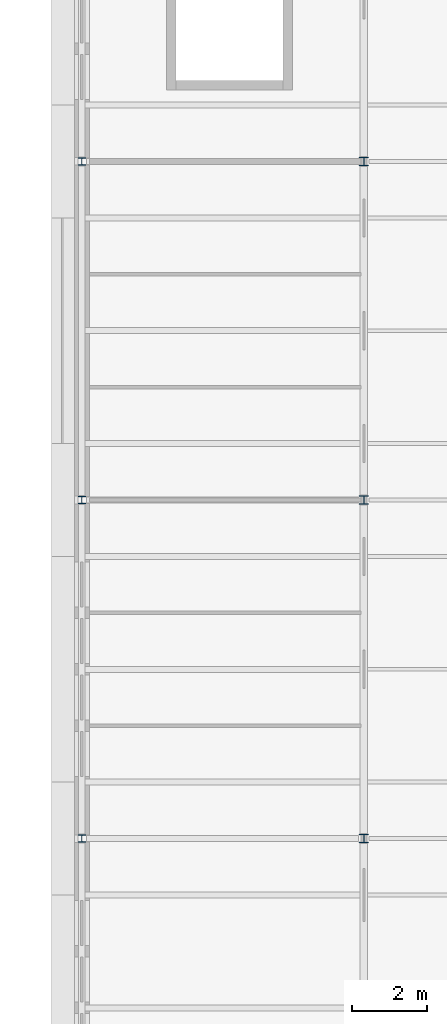
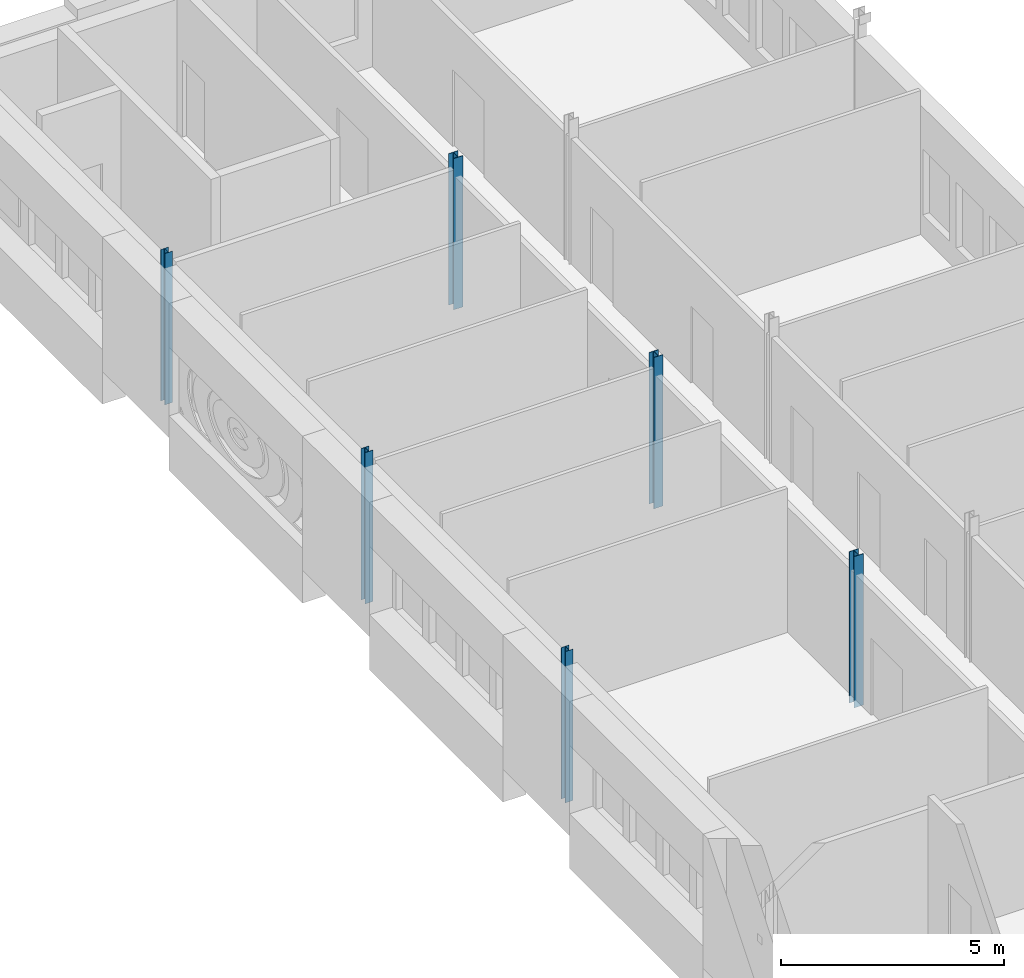
# One storey, part 4 of 154: 6 columns.
"""IFC4 building model written with IfcOpenShell, lengths in metres."""

from ifc_helpers import new_model, si_unit, direction, frame, origin, origin_2d, place, context, subcontext, project, spatial, i_section, extrude, material, material_profile, profile_set, type_object, element, save


model = new_model("IFC4")

# Units and contexts
model_context = context("Model", 3, precision=1e-05, world=origin(), true_north=direction((0.0, 1.0)))
body_context = subcontext(model_context, "Body", "Model", "MODEL_VIEW")
ifc_project = project(units=[si_unit("LENGTHUNIT", "METRE"), si_unit("AREAUNIT", "SQUARE_METRE"), si_unit("VOLUMEUNIT", "CUBIC_METRE"), si_unit("PLANEANGLEUNIT", "RADIAN"), si_unit("MASSUNIT", "GRAM", prefix="KILO")], contexts=[model_context])

# Site, building, storey
site_placement = place(None, origin())
site = spatial("IfcSite", under=ifc_project, at=site_placement, CompositionType="ELEMENT")
building_placement = place(site_placement, origin())
building = spatial("IfcBuilding", under=site, at=building_placement, Name="Golden Quay Civic Hall", CompositionType="ELEMENT")
storey_placement = place(building_placement, frame((0.0, 0.0, 14.39990234375)))
storey = spatial("IfcBuildingStorey", under=building, at=storey_placement, Name="L03", CompositionType="ELEMENT", Elevation=14.39990234375)

# Columns
ifc_material_1 = material(Name="Steel S355", Category="steel")
ifc_material_profile_1 = material_profile(ifc_material_1, i_section(OverallWidth=0.199951171875, OverallDepth=0.18994140625, WebThickness=0.006591796875, FlangeThickness=0.010009765625, FilletRadius=0.01806640625, at=origin_2d()), Name="HEA 200")
ifc_profile_set_1 = profile_set([ifc_material_profile_1], Name="Steel S355")
column_type_1 = type_object("IfcColumnType", Name="Steel column HEA 200", PredefinedType="COLUMN", material=ifc_profile_set_1)
for number, where, z_axis, x_axis, name in (
    (1, (54.0, 27.0, -0.199951171875), (0.0, 0.0, 1.0), (1.0, 0.0, 0.0), "Column 54/27 L03"),
    (2, (54.0, 36.0, -0.199951171875), (0.0, 0.0, 1.0), (1.0, 0.0, 0.0), "Column 54/36 L03"),
    (3, (54.0, 45.0, -0.199951171875), (0.0, 0.0, 1.0), (1.0, 0.0, 0.0), "Column 54/45 L03"),
):
    element("IfcColumn", number, at=place(storey_placement, frame(where, z_axis=z_axis, x_axis=x_axis)), inside=storey, type_object=column_type_1, Name=name, PredefinedType="COLUMN", context=body_context, shape_type="SweptSolid", body=[
        extrude(i_section(OverallWidth=0.199951171875, OverallDepth=0.18994140625, WebThickness=0.006591796875, FlangeThickness=0.010009765625, FilletRadius=0.01806640625, at=origin_2d()), origin(), (0.0, 0.0, 1.0), 4.150146484375),
    ])
ifc_material_2 = material(Name="Steel S355", Category="steel")
ifc_material_profile_2 = material_profile(ifc_material_2, i_section(OverallWidth=0.239990234375, OverallDepth=0.22998046875, WebThickness=0.007568359375, FlangeThickness=0.011962890625, FilletRadius=0.02099609375, at=origin_2d()), Name="HEA 240")
ifc_profile_set_2 = profile_set([ifc_material_profile_2], Name="Steel S355")
column_type_2 = type_object("IfcColumnType", Name="Steel column HEA 240", PredefinedType="COLUMN", material=ifc_profile_set_2)
for number, where, z_axis, x_axis, name in (
    (4, (61.5, 27.0, -0.199951171875), (0.0, 0.0, 1.0), (1.0, 0.0, 0.0), "Column 61.5/27 L03"),
    (5, (61.5, 36.0, -0.199951171875), (0.0, 0.0, 1.0), (1.0, 0.0, 0.0), "Column 61.5/36 L03"),
    (6, (61.5, 45.0, -0.199951171875), (0.0, 0.0, 1.0), (1.0, 0.0, 0.0), "Column 61.5/45 L03"),
):
    element("IfcColumn", number, at=place(storey_placement, frame(where, z_axis=z_axis, x_axis=x_axis)), inside=storey, type_object=column_type_2, Name=name, PredefinedType="COLUMN", context=body_context, shape_type="SweptSolid", body=[
        extrude(i_section(OverallWidth=0.239990234375, OverallDepth=0.22998046875, WebThickness=0.007568359375, FlangeThickness=0.011962890625, FilletRadius=0.02099609375, at=origin_2d()), origin(), (0.0, 0.0, 1.0), 4.150146484375),
    ])

save(model, "model.ifc")
